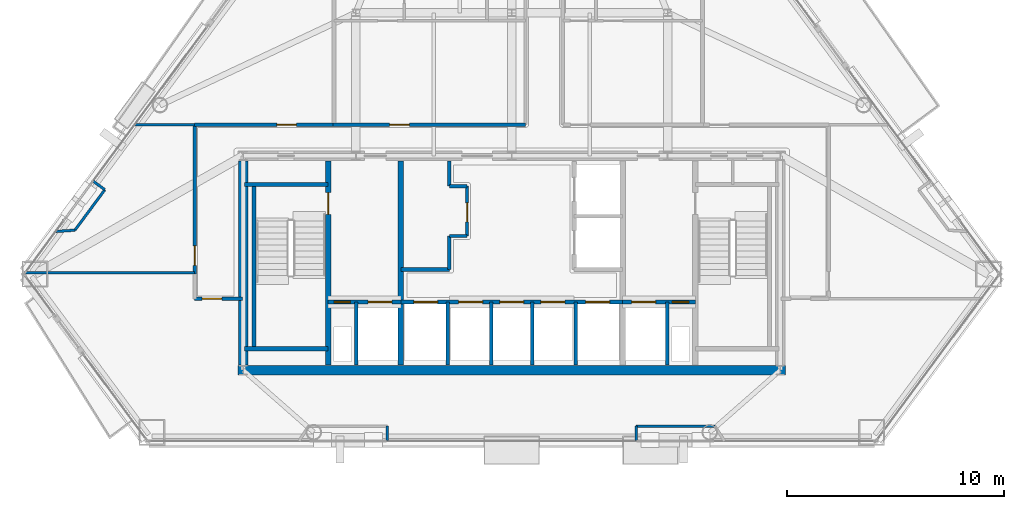
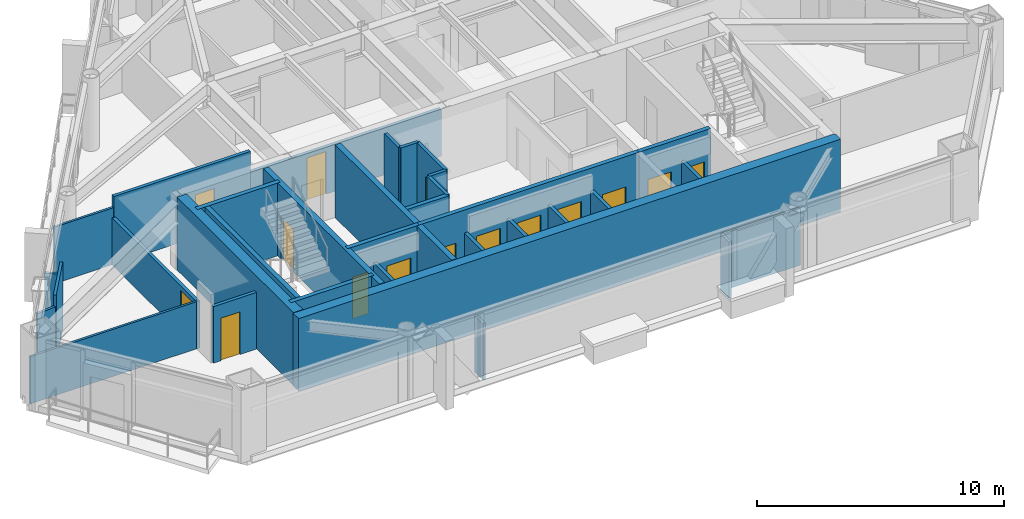
# One storey, part 7 of 11: 34 walls, 15 doors, 15 openings.
"""IFC4 building model written with IfcOpenShell, lengths in metres."""

from ifc_helpers import new_model, si_unit, direction, frame, frame_2d, origin, place, context, subcontext, project, spatial, rectangle, extrude, material, layer, layer_set, type_object, element, fill, save


model = new_model("IFC4")

# Units and contexts
model_context = context("Model", 3, precision=1e-05, world=origin(), true_north=direction((0.0, 1.0)))
body_context = subcontext(model_context, "Body", "Model", "MODEL_VIEW")
ifc_project = project(units=[si_unit("LENGTHUNIT", "METRE"), si_unit("AREAUNIT", "SQUARE_METRE"), si_unit("VOLUMEUNIT", "CUBIC_METRE"), si_unit("PLANEANGLEUNIT", "RADIAN"), si_unit("MASSUNIT", "GRAM", prefix="KILO")], contexts=[model_context])

# Site, building, storey
site_placement = place(None, origin())
site = spatial("IfcSite", under=ifc_project, at=site_placement, CompositionType="ELEMENT")
building_placement = place(site_placement, origin())
building = spatial("IfcBuilding", under=site, at=building_placement, Name="Talgorran Terracotta Tower", CompositionType="ELEMENT")
storey_placement = place(building_placement, frame((0.0, 0.0, 122.10009765625)))
storey = spatial("IfcBuildingStorey", under=building, at=storey_placement, Name="L31", CompositionType="ELEMENT", Elevation=122.10009765625)

# Walls
ifc_material_1 = material(Name="Concrete C50/60", Category="concrete")
ifc_layer_1 = layer(ifc_material_1, 0.199951171875, Name="WT_CORE_200")
ifc_layer_set_1 = layer_set([ifc_layer_1], Name="Concrete C50/60")
wall_type_1 = type_object("IfcWallType", Name="WT_CORE_200", PredefinedType="SOLIDWALL", material=ifc_layer_set_1)
for number, where, z_axis, x_axis, name in (
    (1, (-12.35009765625, -5.52001953125, 0.0), (0.0, 0.0, 1.0), (1.0, 0.0, 0.0), "WL-L31-CW-ST1-N"),
    (2, (-12.35009765625, -13.10009765625, 0.0), (0.0, 0.0, 1.0), (1.0, 0.0, 0.0), "WL-L31-CW-ST1-S"),
):
    element("IfcWall", number, at=place(storey_placement, frame(where, z_axis=z_axis, x_axis=x_axis)), inside=storey, type_object=wall_type_1, Name=name, PredefinedType="SOLIDWALL", context=body_context, shape_type="SweptSolid", body=[
        extrude(rectangle(XDim=3.8701171875, YDim=0.199951171875, at=frame_2d((1.93505859375, 0.0))), origin(), (0.0, 0.0, 1.0), 3.599853515625),
    ])
wall_1_placement = place(storey_placement, frame((-11.89990234375, -13.10009765625, 0.0), z_axis=(0.0, 0.0, 1.0), x_axis=(0.0, 1.0, 0.0)))
element("IfcWall", 3, at=wall_1_placement, inside=storey, type_object=wall_type_1, Name="WL-L31-CW-ST1-W", PredefinedType="SOLIDWALL", context=body_context, shape_type="SweptSolid", body=[
    extrude(rectangle(XDim=7.580078125, YDim=0.199951171875, at=frame_2d((3.7900390625, 0.0))), origin(), (0.0, 0.0, 1.0), 3.599853515625),
])

# Wall, openings, doors
wall_2_placement = place(storey_placement, frame((-8.47998046875, -10.949951171875, 0.0), z_axis=(0.0, 0.0, 1.0), x_axis=(1.0, 0.0, 0.0)))
wall_2 = element("IfcWall", 4, at=wall_2_placement, inside=storey, type_object=wall_type_1, Name="WL-L31-CW-H-SBW", PredefinedType="SOLIDWALL", context=body_context, shape_type="SweptSolid", body=[
    extrude(rectangle(XDim=3.35986328125, YDim=0.199951171875, at=frame_2d((1.679931640625, 0.0))), origin(), (0.0, 0.0, 1.0), 3.599853515625),
])
opening_1_placement = place(wall_2_placement, frame((0.280029296875, 0.0, 0.0)))
opening_1 = element("IfcOpeningElement", 5, at=opening_1_placement, cuts=wall_2, Name="Opening DR-RSW", PredefinedType="OPENING", context=body_context, shape_type="SweptSolid", body=[
    extrude(rectangle(XDim=0.756, YDim=2.054048828125, at=frame_2d((0.375, 1.027099609375))), frame((0.0, 0.10986328125, 0.0), z_axis=(0.0, -1.0, 0.0), x_axis=(1.0, 0.0, 0.0)), (0.0, 0.0, 1.0), 0.219970703125),
])
opening_2_placement = place(wall_2_placement, frame((1.85009765625, 0.0, 0.0)))
opening_2 = element("IfcOpeningElement", 6, at=opening_2_placement, cuts=wall_2, Name="Opening LD-FFL1", PredefinedType="OPENING", context=body_context, shape_type="SweptSolid", body=[
    extrude(rectangle(XDim=1.10609765625, YDim=2.10409765625, at=frame_2d((0.550048828125, 1.052001953125))), frame((0.0, 0.10986328125, 0.0), z_axis=(0.0, -1.0, 0.0), x_axis=(1.0, 0.0, 0.0)), (0.0, 0.0, 1.0), 0.219970703125),
])
ifc_material_2 = material(Name="Brushed Stainless Steel Grade 304", Category="steel")
door_type_1 = type_object("IfcDoorType", Name="DT_LIFT_LD1100", OperationType="DOUBLE_DOOR_SLIDING", PredefinedType="DOOR", material=ifc_material_2)
door_1_placement = place(opening_2_placement, origin())
door_1 = element("IfcDoor", 7, at=door_1_placement, inside=storey, type_object=door_type_1, Name="L31 Lift Landing Door LD-FFL1", OperationType="DOUBLE_DOOR_SLIDING", OverallHeight=2.10009765625, OverallWidth=1.10009765625, PredefinedType="DOOR", context=body_context, shape_type="SweptSolid", body=[
    extrude(rectangle(XDim=1.10009765625, YDim=2.10009765625, at=frame_2d((0.550048828125, 1.050048828125))), frame((0.0, 0.02490234375, 0.0), z_axis=(0.0, -1.0, 0.0), x_axis=(1.0, 0.0, 0.0)), (0.0, 0.0, 1.0), 0.050048828125),
])
fill(opening_2, door_1)
ifc_material_3 = material(Name="Fire-Rated Pressed Steel", Category="steel")
door_type_2 = type_object("IfcDoorType", Name="DT_RISER_750", OperationType="NOTDEFINED", PredefinedType="DOOR", material=ifc_material_3)
door_2_placement = place(opening_1_placement, origin())
door_2 = element("IfcDoor", 8, at=door_2_placement, inside=storey, type_object=door_type_2, Name="DR-RSW", OperationType="SINGLE_SWING_LEFT", OverallHeight=2.050048828125, OverallWidth=0.75, PredefinedType="DOOR", context=body_context, shape_type="SweptSolid", body=[
    extrude(rectangle(XDim=0.75, YDim=2.050048828125, at=frame_2d((0.375, 1.02490234375))), frame((0.0, 0.02490234375, 0.0), z_axis=(0.0, -1.0, 0.0), x_axis=(1.0, 0.0, 0.0)), (0.0, 0.0, 1.0), 0.050048828125),
])
fill(opening_1, door_2)

wall_3_placement = place(storey_placement, frame((-5.1201171875, -10.949951171875, 0.0), z_axis=(0.0, 0.0, 1.0), x_axis=(1.0, 0.0, 0.0)))
wall_3 = element("IfcWall", 9, at=wall_3_placement, inside=storey, type_object=wall_type_1, Name="WL-L31-CW-H-SBC", PredefinedType="SOLIDWALL", context=body_context, shape_type="SweptSolid", body=[
    extrude(rectangle(XDim=10.240234375, YDim=0.199951171875, at=frame_2d((5.1201171875, 0.0))), origin(), (0.0, 0.0, 1.0), 3.599853515625),
])
opening_3_placement = place(wall_3_placement, frame((0.60009765625, 0.0, 0.0)))
opening_3 = element("IfcOpeningElement", 10, at=opening_3_placement, cuts=wall_3, Name="Opening LD-OB1", PredefinedType="OPENING", context=body_context, shape_type="SweptSolid", body=[
    extrude(rectangle(XDim=1.10609765625, YDim=2.10409765625, at=frame_2d((0.550048828125, 1.052001953125))), frame((0.0, 0.10986328125, 0.0), z_axis=(0.0, -1.0, 0.0), x_axis=(1.0, 0.0, 0.0)), (0.0, 0.0, 1.0), 0.219970703125),
])
opening_4_placement = place(wall_3_placement, frame((2.669921875, 0.0, 0.0)))
opening_4 = element("IfcOpeningElement", 11, at=opening_4_placement, cuts=wall_3, Name="Opening LD-PLH1", PredefinedType="OPENING", context=body_context, shape_type="SweptSolid", body=[
    extrude(rectangle(XDim=1.10609765625, YDim=2.10409765625, at=frame_2d((0.550048828125, 1.052001953125))), frame((0.0, 0.10986328125, 0.0), z_axis=(0.0, -1.0, 0.0), x_axis=(1.0, 0.0, 0.0)), (0.0, 0.0, 1.0), 0.219970703125),
])
opening_5_placement = place(wall_3_placement, frame((4.570068359375, 0.0, 0.0)))
opening_5 = element("IfcOpeningElement", 12, at=opening_5_placement, cuts=wall_3, Name="Opening LD-PLH2", PredefinedType="OPENING", context=body_context, shape_type="SweptSolid", body=[
    extrude(rectangle(XDim=1.10609765625, YDim=2.10409765625, at=frame_2d((0.550048828125, 1.052001953125))), frame((0.0, 0.10986328125, 0.0), z_axis=(0.0, -1.0, 0.0), x_axis=(1.0, 0.0, 0.0)), (0.0, 0.0, 1.0), 0.219970703125),
])
opening_6_placement = place(wall_3_placement, frame((6.469970703125, 0.0, 0.0)))
opening_6 = element("IfcOpeningElement", 13, at=opening_6_placement, cuts=wall_3, Name="Opening LD-PLH3", PredefinedType="OPENING", context=body_context, shape_type="SweptSolid", body=[
    extrude(rectangle(XDim=1.10609765625, YDim=2.10409765625, at=frame_2d((0.550048828125, 1.052001953125))), frame((0.0, 0.10986328125, 0.0), z_axis=(0.0, -1.0, 0.0), x_axis=(1.0, 0.0, 0.0)), (0.0, 0.0, 1.0), 0.219970703125),
])
opening_7_placement = place(wall_3_placement, frame((8.5400390625, 0.0, 0.0)))
opening_7 = element("IfcOpeningElement", 14, at=opening_7_placement, cuts=wall_3, Name="Opening LD-SVL1", PredefinedType="OPENING", context=body_context, shape_type="SweptSolid", body=[
    extrude(rectangle(XDim=1.10609765625, YDim=2.10409765625, at=frame_2d((0.550048828125, 1.052001953125))), frame((0.0, 0.10986328125, 0.0), z_axis=(0.0, -1.0, 0.0), x_axis=(1.0, 0.0, 0.0)), (0.0, 0.0, 1.0), 0.219970703125),
])
door_3_placement = place(opening_3_placement, origin())
door_3 = element("IfcDoor", 15, at=door_3_placement, inside=storey, type_object=door_type_1, Name="L31 Lift Landing Door LD-OB1", OperationType="DOUBLE_DOOR_SLIDING", OverallHeight=2.10009765625, OverallWidth=1.10009765625, PredefinedType="DOOR", context=body_context, shape_type="SweptSolid", body=[
    extrude(rectangle(XDim=1.10009765625, YDim=2.10009765625, at=frame_2d((0.550048828125, 1.050048828125))), frame((0.0, 0.02490234375, 0.0), z_axis=(0.0, -1.0, 0.0), x_axis=(1.0, 0.0, 0.0)), (0.0, 0.0, 1.0), 0.050048828125),
])
fill(opening_3, door_3)
door_4_placement = place(opening_4_placement, origin())
door_4 = element("IfcDoor", 16, at=door_4_placement, inside=storey, type_object=door_type_1, Name="L31 Lift Landing Door LD-PLH1", OperationType="DOUBLE_DOOR_SLIDING", OverallHeight=2.10009765625, OverallWidth=1.10009765625, PredefinedType="DOOR", context=body_context, shape_type="SweptSolid", body=[
    extrude(rectangle(XDim=1.10009765625, YDim=2.10009765625, at=frame_2d((0.550048828125, 1.050048828125))), frame((0.0, 0.02490234375, 0.0), z_axis=(0.0, -1.0, 0.0), x_axis=(1.0, 0.0, 0.0)), (0.0, 0.0, 1.0), 0.050048828125),
])
fill(opening_4, door_4)
door_5_placement = place(opening_5_placement, origin())
door_5 = element("IfcDoor", 17, at=door_5_placement, inside=storey, type_object=door_type_1, Name="L31 Lift Landing Door LD-PLH2", OperationType="DOUBLE_DOOR_SLIDING", OverallHeight=2.10009765625, OverallWidth=1.10009765625, PredefinedType="DOOR", context=body_context, shape_type="SweptSolid", body=[
    extrude(rectangle(XDim=1.10009765625, YDim=2.10009765625, at=frame_2d((0.550048828125, 1.050048828125))), frame((0.0, 0.02490234375, 0.0), z_axis=(0.0, -1.0, 0.0), x_axis=(1.0, 0.0, 0.0)), (0.0, 0.0, 1.0), 0.050048828125),
])
fill(opening_5, door_5)
door_6_placement = place(opening_6_placement, origin())
door_6 = element("IfcDoor", 18, at=door_6_placement, inside=storey, type_object=door_type_1, Name="L31 Lift Landing Door LD-PLH3", OperationType="DOUBLE_DOOR_SLIDING", OverallHeight=2.10009765625, OverallWidth=1.10009765625, PredefinedType="DOOR", context=body_context, shape_type="SweptSolid", body=[
    extrude(rectangle(XDim=1.10009765625, YDim=2.10009765625, at=frame_2d((0.550048828125, 1.050048828125))), frame((0.0, 0.02490234375, 0.0), z_axis=(0.0, -1.0, 0.0), x_axis=(1.0, 0.0, 0.0)), (0.0, 0.0, 1.0), 0.050048828125),
])
fill(opening_6, door_6)
door_7_placement = place(opening_7_placement, origin())
door_7 = element("IfcDoor", 19, at=door_7_placement, inside=storey, type_object=door_type_1, Name="L31 Lift Landing Door LD-SVL1", OperationType="DOUBLE_DOOR_SLIDING", OverallHeight=2.10009765625, OverallWidth=1.10009765625, PredefinedType="DOOR", context=body_context, shape_type="SweptSolid", body=[
    extrude(rectangle(XDim=1.10009765625, YDim=2.10009765625, at=frame_2d((0.550048828125, 1.050048828125))), frame((0.0, 0.02490234375, 0.0), z_axis=(0.0, -1.0, 0.0), x_axis=(1.0, 0.0, 0.0)), (0.0, 0.0, 1.0), 0.050048828125),
])
fill(opening_7, door_7)

wall_4_placement = place(storey_placement, frame((5.1201171875, -10.949951171875, 0.0), z_axis=(0.0, 0.0, 1.0), x_axis=(1.0, 0.0, 0.0)))
wall_4 = element("IfcWall", 20, at=wall_4_placement, inside=storey, type_object=wall_type_1, Name="WL-L31-CW-H-SBE", PredefinedType="SOLIDWALL", context=body_context, shape_type="SweptSolid", body=[
    extrude(rectangle(XDim=3.35986328125, YDim=0.199951171875, at=frame_2d((1.679931640625, 0.0))), origin(), (0.0, 0.0, 1.0), 3.599853515625),
])
opening_8_placement = place(wall_4_placement, frame((0.419921875, 0.0, 0.0)))
opening_8 = element("IfcOpeningElement", 21, at=opening_8_placement, cuts=wall_4, Name="Opening LD-FFL2", PredefinedType="OPENING", context=body_context, shape_type="SweptSolid", body=[
    extrude(rectangle(XDim=1.10609765625, YDim=2.10409765625, at=frame_2d((0.550048828125, 1.052001953125))), frame((0.0, 0.10986328125, 0.0), z_axis=(0.0, -1.0, 0.0), x_axis=(1.0, 0.0, 0.0)), (0.0, 0.0, 1.0), 0.219970703125),
])
opening_9_placement = place(wall_4_placement, frame((2.300048828125, 0.0, 0.0)))
opening_9 = element("IfcOpeningElement", 22, at=opening_9_placement, cuts=wall_4, Name="Opening DR-RSE", PredefinedType="OPENING", context=body_context, shape_type="SweptSolid", body=[
    extrude(rectangle(XDim=0.756, YDim=2.054048828125, at=frame_2d((0.375, 1.027099609375))), frame((0.0, 0.10986328125, 0.0), z_axis=(0.0, -1.0, 0.0), x_axis=(1.0, 0.0, 0.0)), (0.0, 0.0, 1.0), 0.219970703125),
])
door_8_placement = place(opening_8_placement, origin())
door_8 = element("IfcDoor", 23, at=door_8_placement, inside=storey, type_object=door_type_1, Name="L31 Lift Landing Door LD-FFL2", OperationType="DOUBLE_DOOR_SLIDING", OverallHeight=2.10009765625, OverallWidth=1.10009765625, PredefinedType="DOOR", context=body_context, shape_type="SweptSolid", body=[
    extrude(rectangle(XDim=1.10009765625, YDim=2.10009765625, at=frame_2d((0.550048828125, 1.050048828125))), frame((0.0, 0.02490234375, 0.0), z_axis=(0.0, -1.0, 0.0), x_axis=(1.0, 0.0, 0.0)), (0.0, 0.0, 1.0), 0.050048828125),
])
fill(opening_8, door_8)
door_9_placement = place(opening_9_placement, origin())
door_9 = element("IfcDoor", 24, at=door_9_placement, inside=storey, type_object=door_type_2, Name="DR-RSE", OperationType="SINGLE_SWING_RIGHT", OverallHeight=2.050048828125, OverallWidth=0.75, PredefinedType="DOOR", context=body_context, shape_type="SweptSolid", body=[
    extrude(rectangle(XDim=0.75, YDim=2.050048828125, at=frame_2d((0.375, 1.02490234375))), frame((0.0, 0.02490234375, 0.0), z_axis=(0.0, -1.0, 0.0), x_axis=(1.0, 0.0, 0.0)), (0.0, 0.0, 1.0), 0.050048828125),
])
fill(opening_9, door_9)

# Wall
wall_5_placement = place(storey_placement, frame((-5.1201171875, -9.449951171875, 0.0), z_axis=(0.0, 0.0, 1.0), x_axis=(1.0, 0.0, 0.0)))
element("IfcWall", 25, at=wall_5_placement, inside=storey, type_object=wall_type_1, Name="WL-L31-CW-H-W4", PredefinedType="SOLIDWALL", context=body_context, shape_type="SweptSolid", body=[
    extrude(rectangle(XDim=2.240234375, YDim=0.199951171875, at=frame_2d((1.1201171875, 0.0))), origin(), (0.0, 0.0, 1.0), 3.349853515625),
])

# Wall, opening, door
ifc_layer_2 = layer(ifc_material_1, 0.25, Name="WT_CORE_250")
ifc_layer_set_2 = layer_set([ifc_layer_2], Name="Concrete C50/60")
wall_type_2 = type_object("IfcWallType", Name="WT_CORE_250", PredefinedType="SHEAR", material=ifc_layer_set_2)
wall_6_placement = place(storey_placement, frame((-8.47998046875, -13.85009765625, 0.0), z_axis=(0.0, 0.0, 1.0), x_axis=(0.0, 1.0, 0.0)))
wall_6 = element("IfcWall", 26, at=wall_6_placement, inside=storey, type_object=wall_type_2, Name="WL-L31-CW-V-W1", PredefinedType="SHEAR", context=body_context, shape_type="SweptSolid", body=[
    extrude(rectangle(XDim=9.400146484375, YDim=0.25, at=frame_2d((4.7001953125, 0.0))), origin(), (0.0, 0.0, 1.0), 3.599853515625),
])
opening_10_placement = place(wall_6_placement, frame((6.949951171875, 0.0, 0.0)))
opening_10 = element("IfcOpeningElement", 27, at=opening_10_placement, cuts=wall_6, Name="Opening DR-ST01", PredefinedType="OPENING", context=body_context, shape_type="SweptSolid", body=[
    extrude(rectangle(XDim=1.006, YDim=2.10409765625, at=frame_2d((0.5, 1.052001953125))), frame((0.0, 0.135009765625, 0.0), z_axis=(0.0, -1.0, 0.0), x_axis=(1.0, 0.0, 0.0)), (0.0, 0.0, 1.0), 0.27001953125),
])
door_type_3 = type_object("IfcDoorType", Name="DT_FIRE_1000", OperationType="NOTDEFINED", PredefinedType="DOOR", material=ifc_material_3)
door_10_placement = place(opening_10_placement, origin())
door_10 = element("IfcDoor", 28, at=door_10_placement, inside=storey, type_object=door_type_3, Name="DR-ST01", OperationType="SINGLE_SWING_LEFT", OverallHeight=2.10009765625, OverallWidth=1.0, PredefinedType="DOOR", context=body_context, shape_type="SweptSolid", body=[
    extrude(rectangle(XDim=1.0, YDim=2.10009765625, at=frame_2d((0.5, 1.050048828125))), frame((0.0, 0.02490234375, 0.0), z_axis=(0.0, -1.0, 0.0), x_axis=(1.0, 0.0, 0.0)), (0.0, 0.0, 1.0), 0.050048828125),
])
fill(opening_10, door_10)

# Walls
wall_7_placement = place(storey_placement, frame((-5.1201171875, -13.85009765625, 0.0), z_axis=(0.0, 0.0, 1.0), x_axis=(0.0, 1.0, 0.0)))
element("IfcWall", 29, at=wall_7_placement, inside=storey, type_object=wall_type_2, Name="WL-L31-CW-V-W2", PredefinedType="SHEAR", context=body_context, shape_type="SweptSolid", body=[
    extrude(rectangle(XDim=9.400146484375, YDim=0.25, at=frame_2d((4.7001953125, 0.0))), origin(), (0.0, 0.0, 1.0), 3.599853515625),
])
ifc_material_4 = material(Name="Concrete C65/80", Category="concrete")
ifc_layer_3 = layer(ifc_material_4, 0.449951171875, Name="WT_CORE_EXT")
ifc_layer_set_3 = layer_set([ifc_layer_3], Name="Concrete C65/80")
wall_type_3 = type_object("IfcWallType", Name="WT_CORE_EXT", PredefinedType="SHEAR", material=ifc_layer_set_3)
wall_8_placement = place(storey_placement, frame((-12.64990234375, -14.10009765625, 0.0), z_axis=(0.0, 0.0, 1.0), x_axis=(1.0, 0.0, 0.0)))
element("IfcWall", 30, at=wall_8_placement, inside=storey, type_object=wall_type_3, Name="WL-L31-CW-OUT-S", PredefinedType="SHEAR", context=body_context, shape_type="SweptSolid", body=[
    extrude(rectangle(XDim=25.2998046875, YDim=0.449951171875, at=frame_2d((12.64990234375, 0.0))), origin(), (0.0, 0.0, 1.0), 3.599853515625),
])
wall_9_placement = place(storey_placement, frame((-12.39990234375, -13.85009765625, 0.0), z_axis=(0.0, 0.0, 1.0), x_axis=(0.0, 1.0, 0.0)))
element("IfcWall", 31, at=wall_9_placement, inside=storey, type_object=wall_type_3, Name="WL-L31-CW-OUT-W", PredefinedType="SHEAR", context=body_context, shape_type="SweptSolid", body=[
    extrude(rectangle(XDim=9.400146484375, YDim=0.449951171875, at=frame_2d((4.7001953125, 0.0))), origin(), (0.0, 0.0, 1.0), 3.599853515625),
])
ifc_material_5 = material(Name="Fire-Rated Steel Stud Plasterboard", Category="steel")
ifc_layer_4 = layer(ifc_material_5, 0.14990234375, Name="WT_FIRE_150")
ifc_layer_set_4 = layer_set([ifc_layer_4], Name="Fire-Rated Steel Stud Plasterboard")
wall_type_4 = type_object("IfcWallType", Name="WT_FIRE_150", PredefinedType="PARTITIONING", material=ifc_layer_set_4)
wall_10_placement = place(storey_placement, frame((-2.8798828125, -9.449951171875, 0.0), z_axis=(0.0, 0.0, 1.0), x_axis=(0.0, 1.0, 0.0)))
element("IfcWall", 32, at=wall_10_placement, inside=storey, type_object=wall_type_4, Name="WL-L31-CW-V-W3A", PredefinedType="PARTITIONING", context=body_context, shape_type="SweptSolid", body=[
    extrude(rectangle(XDim=1.550048828125, YDim=0.14990234375, at=frame_2d((0.77490234375, 0.0))), origin(), (0.0, 0.0, 1.0), 3.349853515625),
])
wall_11_placement = place(storey_placement, frame((-2.8798828125, -7.89990234375, 0.0), z_axis=(0.0, 0.0, 1.0), x_axis=(1.0, 0.0, 0.0)))
element("IfcWall", 33, at=wall_11_placement, inside=storey, type_object=wall_type_4, Name="WL-L31-CW-H-W3B", PredefinedType="PARTITIONING", context=body_context, shape_type="SweptSolid", body=[
    extrude(rectangle(XDim=0.81982421875, YDim=0.14990234375, at=frame_2d((0.409912109375, 0.0))), origin(), (0.0, 0.0, 1.0), 3.349853515625),
])

# Wall, opening, door
wall_12_placement = place(storey_placement, frame((-2.06005859375, -7.89990234375, 0.0), z_axis=(0.0, 0.0, 1.0), x_axis=(0.0, 1.0, 0.0)))
wall_12 = element("IfcWall", 34, at=wall_12_placement, inside=storey, type_object=wall_type_4, Name="WL-L31-CW-V-W3C", PredefinedType="PARTITIONING", context=body_context, shape_type="SweptSolid", body=[
    extrude(rectangle(XDim=2.2998046875, YDim=0.14990234375, at=frame_2d((1.14990234375, 0.0))), origin(), (0.0, 0.0, 1.0), 3.349853515625),
])
opening_11_placement = place(wall_12_placement, frame((0.64990234375, 0.0, 0.0)))
opening_11 = element("IfcOpeningElement", 35, at=opening_11_placement, cuts=wall_12, Name="Opening DR-FRPLL-B", PredefinedType="OPENING", context=body_context, shape_type="SweptSolid", body=[
    extrude(rectangle(XDim=0.8858828125, YDim=2.10409765625, at=frame_2d((0.43994140625, 1.052001953125))), frame((0.0, 0.0849609375, 0.0), z_axis=(0.0, -1.0, 0.0), x_axis=(1.0, 0.0, 0.0)), (0.0, 0.0, 1.0), 0.169921875),
])
ifc_material_6 = material(Name="Solid-Core Painted Timber", Category="wood")
door_type_4 = type_object("IfcDoorType", Name="DT_INT_880", OperationType="NOTDEFINED", PredefinedType="DOOR", material=ifc_material_6)
door_11_placement = place(opening_11_placement, origin())
door_11 = element("IfcDoor", 36, at=door_11_placement, inside=storey, type_object=door_type_4, Name="DR-FRPLL-B", OperationType="SINGLE_SWING_LEFT", OverallHeight=2.10009765625, OverallWidth=0.8798828125, PredefinedType="DOOR", context=body_context, shape_type="SweptSolid", body=[
    extrude(rectangle(XDim=0.8798828125, YDim=2.10009765625, at=frame_2d((0.43994140625, 1.050048828125))), frame((0.0, 0.02490234375, 0.0), z_axis=(0.0, -1.0, 0.0), x_axis=(1.0, 0.0, 0.0)), (0.0, 0.0, 1.0), 0.050048828125),
])
fill(opening_11, door_11)

# Walls
wall_13_placement = place(storey_placement, frame((-2.8798828125, -5.60009765625, 0.0), z_axis=(0.0, 0.0, 1.0), x_axis=(1.0, 0.0, 0.0)))
element("IfcWall", 37, at=wall_13_placement, inside=storey, type_object=wall_type_4, Name="WL-L31-CW-H-W3D", PredefinedType="PARTITIONING", context=body_context, shape_type="SweptSolid", body=[
    extrude(rectangle(XDim=0.81982421875, YDim=0.14990234375, at=frame_2d((0.409912109375, 0.0))), origin(), (0.0, 0.0, 1.0), 3.349853515625),
])
wall_14_placement = place(storey_placement, frame((-2.8798828125, -5.60009765625, 0.0), z_axis=(0.0, 0.0, 1.0), x_axis=(0.0, 1.0, 0.0)))
element("IfcWall", 38, at=wall_14_placement, inside=storey, type_object=wall_type_4, Name="WL-L31-CW-V-W3E", PredefinedType="PARTITIONING", context=body_context, shape_type="SweptSolid", body=[
    extrude(rectangle(XDim=1.150146484375, YDim=0.14990234375, at=frame_2d((0.5751953125, 0.0))), origin(), (0.0, 0.0, 1.0), 3.349853515625),
])

# Wall, opening, door
wall_15_placement = place(storey_placement, frame((-8.260009765625, -2.760009765625, 0.0), z_axis=(0.0, 0.0, 1.0), x_axis=(1.0, 0.0, 0.0)))
wall_15 = element("IfcWall", 39, at=wall_15_placement, inside=storey, type_object=wall_type_4, Name="WL-L31-W-L31-R07", PredefinedType="PARTITIONING", context=body_context, shape_type="SweptSolid", body=[
    extrude(rectangle(XDim=8.89990234375, YDim=0.14990234375, at=frame_2d((4.449951171875, 0.0))), origin(), (0.0, 0.0, 1.0), 2.324951171875),
])
opening_12_placement = place(wall_15_placement, frame((2.627197265625, 0.0, 0.0)))
opening_12 = element("IfcOpeningElement", 40, at=opening_12_placement, cuts=wall_15, Name="Opening DR-L31-R06", PredefinedType="OPENING", context=body_context, shape_type="SweptSolid", body=[
    extrude(rectangle(XDim=0.90590234375, YDim=2.10409765625, at=frame_2d((0.449951171875, 1.052001953125))), frame((0.0, 0.0849609375, 0.0), z_axis=(0.0, -1.0, 0.0), x_axis=(1.0, 0.0, 0.0)), (0.0, 0.0, 1.0), 0.169921875),
])
ifc_material_7 = material(Name="Fire-Rated Timber Core", Category="wood")
door_type_5 = type_object("IfcDoorType", Name="DT_FIRE_900", OperationType="NOTDEFINED", PredefinedType="DOOR", material=ifc_material_7)
door_12_placement = place(opening_12_placement, origin())
door_12 = element("IfcDoor", 41, at=door_12_placement, inside=storey, type_object=door_type_5, Name="DR-L31-R06", OperationType="SINGLE_SWING_RIGHT", OverallHeight=2.10009765625, OverallWidth=0.89990234375, PredefinedType="DOOR", context=body_context, shape_type="SweptSolid", body=[
    extrude(rectangle(XDim=0.89990234375, YDim=2.10009765625, at=frame_2d((0.449951171875, 1.050048828125))), frame((0.0, 0.02490234375, 0.0), z_axis=(0.0, -1.0, 0.0), x_axis=(1.0, 0.0, 0.0)), (0.0, 0.0, 1.0), 0.050048828125),
])
fill(opening_12, door_12)

wall_16_placement = place(storey_placement, frame((-14.639892578125, -9.659912109375, 0.0), z_axis=(0.0, 0.0, 1.0), x_axis=(0.0, 1.0, 0.0)))
wall_16 = element("IfcWall", 42, at=wall_16_placement, inside=storey, type_object=wall_type_4, Name="WL-L31-W-L31-R01", PredefinedType="PARTITIONING", context=body_context, shape_type="SweptSolid", body=[
    extrude(rectangle(XDim=6.89990234375, YDim=0.14990234375, at=frame_2d((3.449951171875, 0.0))), origin(), (0.0, 0.0, 1.0), 2.324951171875),
])
opening_13_placement = place(wall_16_placement, frame((0.398193359375, 0.0, 0.0)))
opening_13 = element("IfcOpeningElement", 43, at=opening_13_placement, cuts=wall_16, Name="Opening DR-L31-R01", PredefinedType="OPENING", context=body_context, shape_type="SweptSolid", body=[
    extrude(rectangle(XDim=0.90590234375, YDim=2.10409765625, at=frame_2d((0.449951171875, 1.052001953125))), frame((0.0, 0.0849609375, 0.0), z_axis=(0.0, -1.0, 0.0), x_axis=(1.0, 0.0, 0.0)), (0.0, 0.0, 1.0), 0.169921875),
])
door_13_placement = place(opening_13_placement, origin())
door_13 = element("IfcDoor", 44, at=door_13_placement, inside=storey, type_object=door_type_5, Name="DR-L31-R01", OperationType="SINGLE_SWING_LEFT", OverallHeight=2.10009765625, OverallWidth=0.89990234375, PredefinedType="DOOR", context=body_context, shape_type="SweptSolid", body=[
    extrude(rectangle(XDim=0.89990234375, YDim=2.10009765625, at=frame_2d((0.449951171875, 1.050048828125))), frame((0.0, 0.02490234375, 0.0), z_axis=(0.0, -1.0, 0.0), x_axis=(1.0, 0.0, 0.0)), (0.0, 0.0, 1.0), 0.050048828125),
])
fill(opening_13, door_13)

wall_17_placement = place(storey_placement, frame((-14.639892578125, -2.760009765625, 0.0), z_axis=(0.0, 0.0, 1.0), x_axis=(1.0, 0.0, 0.0)))
wall_17 = element("IfcWall", 45, at=wall_17_placement, inside=storey, type_object=wall_type_4, Name="WL-L31-W-L31-R06", PredefinedType="PARTITIONING", context=body_context, shape_type="SweptSolid", body=[
    extrude(rectangle(XDim=6.3779296875, YDim=0.14990234375, at=frame_2d((3.18896484375, 0.0))), origin(), (0.0, 0.0, 1.0), 3.349853515625),
])
opening_14_placement = place(wall_17_placement, frame((3.800048828125, 0.0, 0.0)))
opening_14 = element("IfcOpeningElement", 46, at=opening_14_placement, cuts=wall_17, Name="Opening DR-L31-R05", PredefinedType="OPENING", context=body_context, shape_type="SweptSolid", body=[
    extrude(rectangle(XDim=0.90590234375, YDim=2.10409765625, at=frame_2d((0.449951171875, 1.052001953125))), frame((0.0, 0.0849609375, 0.0), z_axis=(0.0, -1.0, 0.0), x_axis=(1.0, 0.0, 0.0)), (0.0, 0.0, 1.0), 0.169921875),
])
door_14_placement = place(opening_14_placement, origin())
door_14 = element("IfcDoor", 47, at=door_14_placement, inside=storey, type_object=door_type_5, Name="DR-L31-R05", OperationType="SINGLE_SWING_LEFT", OverallHeight=2.10009765625, OverallWidth=0.89990234375, PredefinedType="DOOR", context=body_context, shape_type="SweptSolid", body=[
    extrude(rectangle(XDim=0.89990234375, YDim=2.10009765625, at=frame_2d((0.449951171875, 1.050048828125))), frame((0.0, 0.02490234375, 0.0), z_axis=(0.0, -1.0, 0.0), x_axis=(1.0, 0.0, 0.0)), (0.0, 0.0, 1.0), 0.050048828125),
])
fill(opening_14, door_14)

wall_18_placement = place(storey_placement, frame((-14.639892578125, -10.800048828125, 0.0), z_axis=(0.0, 0.0, 1.0), x_axis=(1.0, 0.0, 0.0)))
wall_18 = element("IfcWall", 48, at=wall_18_placement, inside=storey, type_object=wall_type_4, Name="WL-L31-W-L31-R03", PredefinedType="PARTITIONING", context=body_context, shape_type="SweptSolid", body=[
    extrude(rectangle(XDim=2.199951171875, YDim=0.14990234375, at=frame_2d((1.10009765625, 0.0))), origin(), (0.0, 0.0, 1.0), 2.7919921875),
])
opening_15_placement = place(wall_18_placement, frame((0.3486328125, 0.0, 0.0)))
opening_15 = element("IfcOpeningElement", 49, at=opening_15_placement, cuts=wall_18, Name="Opening DR-L31-R02", PredefinedType="OPENING", context=body_context, shape_type="SweptSolid", body=[
    extrude(rectangle(XDim=0.90590234375, YDim=2.10409765625, at=frame_2d((0.449951171875, 1.052001953125))), frame((0.0, 0.0849609375, 0.0), z_axis=(0.0, -1.0, 0.0), x_axis=(1.0, 0.0, 0.0)), (0.0, 0.0, 1.0), 0.169921875),
])
door_15_placement = place(opening_15_placement, origin())
door_15 = element("IfcDoor", 50, at=door_15_placement, inside=storey, type_object=door_type_5, Name="DR-L31-R02", OperationType="SINGLE_SWING_RIGHT", OverallHeight=2.10009765625, OverallWidth=0.89990234375, PredefinedType="DOOR", context=body_context, shape_type="SweptSolid", body=[
    extrude(rectangle(XDim=0.89990234375, YDim=2.10009765625, at=frame_2d((0.449951171875, 1.050048828125))), frame((0.0, 0.02490234375, 0.0), z_axis=(0.0, -1.0, 0.0), x_axis=(1.0, 0.0, 0.0)), (0.0, 0.0, 1.0), 0.050048828125),
])
fill(opening_15, door_15)

# Walls
ifc_material_8 = material(Name="Lightweight Steel Stud Partition", Category="steel")
ifc_layer_5 = layer(ifc_material_8, 0.10498046875, Name="WT_PART_110")
ifc_layer_set_5 = layer_set([ifc_layer_5], Name="Lightweight Steel Stud Partition")
wall_type_5 = type_object("IfcWallType", Name="WT_PART_110", PredefinedType="PARTITIONING", material=ifc_layer_set_5)
wall_19_placement = place(storey_placement, frame((-22.47021484375, -9.60009765625, 0.0), z_axis=(0.0, 0.0, 1.0), x_axis=(1.0, 0.0, 0.0)))
element("IfcWall", 51, at=wall_19_placement, inside=storey, type_object=wall_type_5, Name="WL-L31-W-L31-R18", PredefinedType="PARTITIONING", context=body_context, shape_type="SweptSolid", body=[
    extrude(rectangle(XDim=7.830322265625, YDim=0.10498046875, at=frame_2d((3.9150390625, 0.0))), origin(), (0.0, 0.0, 1.0), 2.324951171875),
])
wall_20_placement = place(storey_placement, frame((-17.411376953125, -2.760009765625, 0.0), z_axis=(0.0, 0.0, 1.0), x_axis=(1.0, 0.0, 0.0)))
element("IfcWall", 52, at=wall_20_placement, inside=storey, type_object=wall_type_5, Name="WL-L31-W-L31-R19", PredefinedType="PARTITIONING", context=body_context, shape_type="SweptSolid", body=[
    extrude(rectangle(XDim=2.771484375, YDim=0.10498046875, at=frame_2d((1.3857421875, 0.0))), origin(), (0.0, 0.0, 1.0), 2.7919921875),
])
ifc_material_9 = material(Name="Insulated Steel Stud Plasterboard", Category="steel")
ifc_layer_6 = layer(ifc_material_9, 0.1201171875, Name="WT_PART_120")
ifc_layer_set_6 = layer_set([ifc_layer_6], Name="Insulated Steel Stud Plasterboard")
wall_type_6 = type_object("IfcWallType", Name="WT_PART_120", PredefinedType="PARTITIONING", material=ifc_layer_set_6)
wall_21_placement = place(storey_placement, frame((5.743896484375, -16.683349609375, 0.0), z_axis=(0.0, 0.0, 1.0), x_axis=(1.0, 0.0, 0.0)))
element("IfcWall", 53, at=wall_21_placement, inside=storey, type_object=wall_type_6, Name="WL-L31-BW-L31-06", PredefinedType="PARTITIONING", context=body_context, shape_type="SweptSolid", body=[
    extrude(rectangle(XDim=3.632080078125, YDim=0.1201171875, at=frame_2d((1.81591796875, 0.0))), origin(), (0.0, 0.0, 1.0), 2.7919921875),
])
wall_22_placement = place(storey_placement, frame((-18.788818359375, -5.765625, 0.0), z_axis=(0.0, 0.0, 1.0), x_axis=(-0.594571315603, -0.804042878622, 0.0)))
element("IfcWall", 54, at=wall_22_placement, inside=storey, type_object=wall_type_6, Name="WL-L31-BW-L31-08", PredefinedType="PARTITIONING", context=body_context, shape_type="SweptSolid", body=[
    extrude(rectangle(XDim=2.32275390625, YDim=0.1201171875, at=frame_2d((1.161376953125, 0.0))), origin(), (0.0, 0.0, 1.0), 3.349853515625),
])
wall_23_placement = place(storey_placement, frame((-20.169921875, -7.63330078125, 0.0), z_axis=(0.0, 0.0, 1.0), x_axis=(-0.997720805556, -0.067477360354, 0.0)))
element("IfcWall", 55, at=wall_23_placement, inside=storey, type_object=wall_type_6, Name="WL-L31-BW-L31-09", PredefinedType="PARTITIONING", context=body_context, shape_type="SweptSolid", body=[
    extrude(rectangle(XDim=0.879150390625, YDim=0.1201171875, at=frame_2d((0.439453125, 0.0))), origin(), (0.0, 0.0, 1.0), 2.7919921875),
])
for number, where, z_axis, x_axis, name in (
    (56, (-5.743896484375, -16.683349609375, 0.0), (0.0, 0.0, 1.0), (0.0, -1.0, 0.0), "WL-L31-BW-L31-02"),
    (57, (5.743896484375, -17.353271484375, 0.0), (0.0, 0.0, 1.0), (0.0, 1.0, 0.0), "WL-L31-BW-L31-05"),
    (58, (-19.327392578125, -5.3671875, 0.0), (0.0, 0.0, 1.0), (0.803918563719, -0.594739390748, 0.0), "WL-L31-BW-L31-07"),
):
    element("IfcWall", number, at=place(storey_placement, frame(where, z_axis=z_axis, x_axis=x_axis)), inside=storey, type_object=wall_type_6, Name=name, PredefinedType="PARTITIONING", context=body_context, shape_type="SweptSolid", body=[
        extrude(rectangle(XDim=0.669921875, YDim=0.1201171875, at=frame_2d((0.3349609375, 0.0))), origin(), (0.0, 0.0, 1.0), 2.7919921875),
    ])
ifc_material_10 = material(Name="Fire-Rated Shaftwall")
ifc_layer_7 = layer(ifc_material_10, 0.159912109375, Name="WT_PART_150")
ifc_layer_set_7 = layer_set([ifc_layer_7], Name="Fire-Rated Shaftwall")
wall_type_7 = type_object("IfcWallType", Name="WT_PART_150", PredefinedType="PARTITIONING", material=ifc_layer_set_7)
for number, where, z_axis, x_axis, name in (
    (59, (-7.179931640625, -13.85009765625, 0.0), (0.0, 0.0, 1.0), (0.0, 1.0, 0.0), "WL-L31-CW-RSW"),
    (60, (7.179931640625, -13.85009765625, 0.0), (0.0, 0.0, 1.0), (0.0, 1.0, 0.0), "WL-L31-CW-RSE"),
    (61, (-2.949951171875, -13.85009765625, 0.0), (0.0, 0.0, 1.0), (0.0, 1.0, 0.0), "WL-L31-CW-OB-E"),
    (62, (2.949951171875, -13.85009765625, 0.0), (0.0, 0.0, 1.0), (0.0, 1.0, 0.0), "WL-L31-CW-SV-W"),
    (63, (-0.949951171875, -13.85009765625, 0.0), (0.0, 0.0, 1.0), (0.0, 1.0, 0.0), "WL-L31-CW-PLH-D1"),
    (64, (0.949951171875, -13.85009765625, 0.0), (0.0, 0.0, 1.0), (0.0, 1.0, 0.0), "WL-L31-CW-PLH-D2"),
):
    element("IfcWall", number, at=place(storey_placement, frame(where, z_axis=z_axis, x_axis=x_axis)), inside=storey, type_object=wall_type_7, Name=name, PredefinedType="PARTITIONING", context=body_context, shape_type="SweptSolid", body=[
        extrude(rectangle(XDim=2.900146484375, YDim=0.159912109375, at=frame_2d((1.4501953125, 0.0))), origin(), (0.0, 0.0, 1.0), 2.474853515625),
    ])

save(model, "model.ifc")
